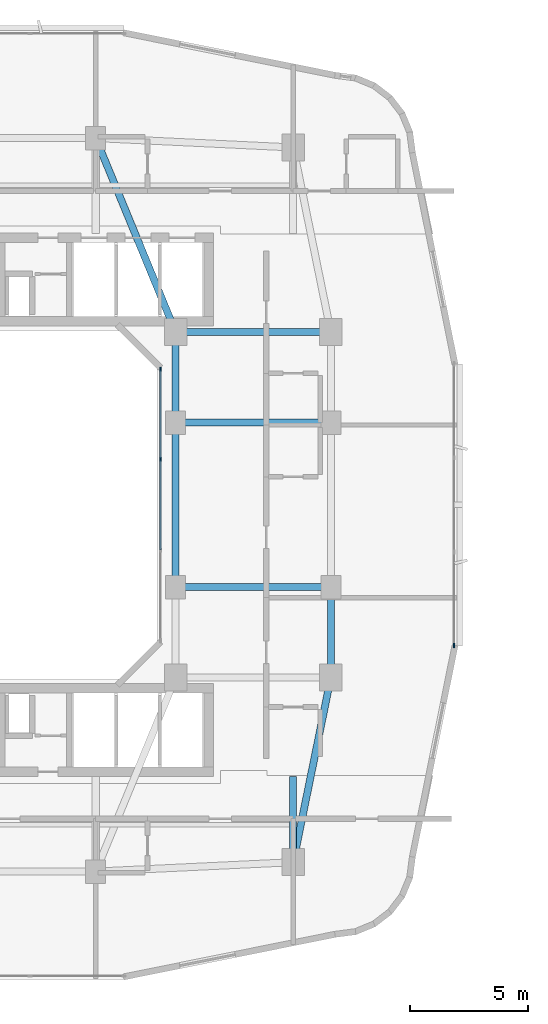
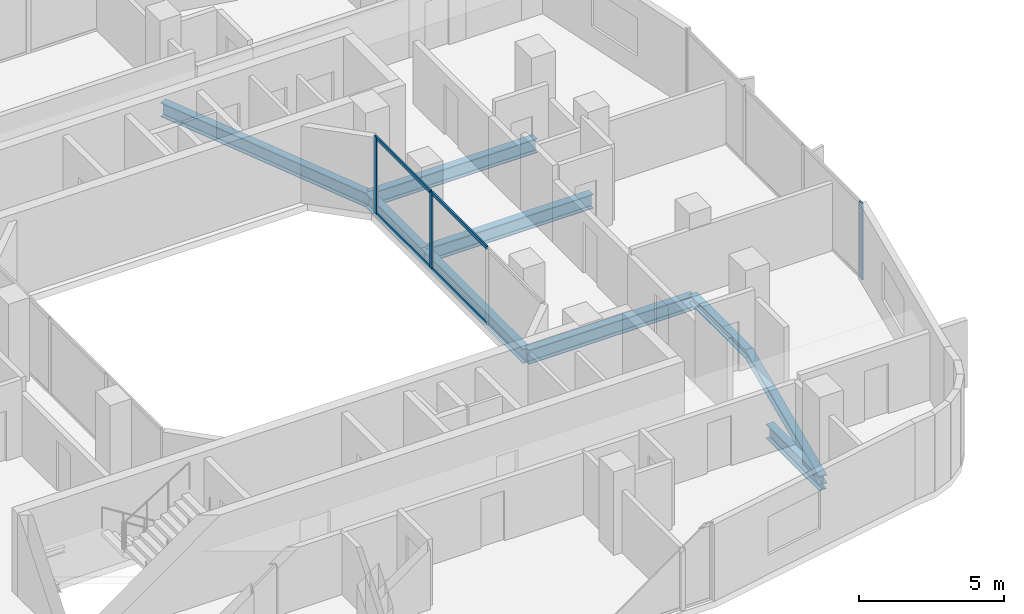
# One storey, part 4 of 26: 9 beams, 7 members, 2 elements without a shape of their own.
"""IFC4 building model written with IfcOpenShell, lengths in metres."""

from ifc_helpers import new_model, si_unit, derived_unit, direction, frame, origin, origin_2d, place, context, subcontext, project, spatial, rectangle, i_section, extrude, material, layer, layer_set, material_profile, profile_set, type_object, element, aggregate, save


model = new_model("IFC4")

# Units and contexts
model_context = context("Model", 3, precision=1e-05, world=origin(), true_north=direction((0.0, 1.0)))
body_context = subcontext(model_context, "Body", "Model", "MODEL_VIEW")
ifc_project = project(units=[si_unit("LENGTHUNIT", "METRE"), si_unit("AREAUNIT", "SQUARE_METRE"), si_unit("VOLUMEUNIT", "CUBIC_METRE"), si_unit("PLANEANGLEUNIT", "RADIAN"), si_unit("MASSUNIT", "GRAM", prefix="KILO"), derived_unit("THERMALTRANSMITTANCEUNIT", [(si_unit("POWERUNIT", "WATT"), 1), (si_unit("LENGTHUNIT", "METRE"), -2), (si_unit("THERMODYNAMICTEMPERATUREUNIT", "KELVIN"), -1)])], contexts=[model_context])

# Site, building, storey
site_placement = place(None, origin())
site = spatial("IfcSite", under=ifc_project, at=site_placement, CompositionType="ELEMENT")
building_placement = place(site_placement, origin())
building = spatial("IfcBuilding", under=site, at=building_placement, Name="Kivonza Crest Hotel", CompositionType="ELEMENT")
storey_placement = place(building_placement, frame((0.0, 0.0, 105.5)))
storey = spatial("IfcBuildingStorey", under=building, at=storey_placement, Name="L28", CompositionType="ELEMENT", Elevation=105.5)

# Beams
ifc_material_1 = material(Name="Steel S355", Category="steel")
ifc_material_profile_1 = material_profile(ifc_material_1, i_section(OverallWidth=0.300048828125, OverallDepth=0.360107421875, WebThickness=0.012451171875, FlangeThickness=0.0224609375, FilletRadius=0.027099609375, at=origin_2d()), Name="HEB 360")
ifc_profile_set_1 = profile_set([ifc_material_profile_1], Name="Steel S355")
beam_type_1 = type_object("IfcBeamType", Name="BM-HEB360", PredefinedType="SPANDREL", material=ifc_profile_set_1)
beam_1_placement = place(storey_placement, frame((34.199951171875, 9.800048828125, -0.4599609375), z_axis=(0.199730733965, 0.979850822273, 0.0), x_axis=(-0.979850822273, 0.199730733965, 0.0)))
element("IfcBeam", 1, at=beam_1_placement, inside=storey, type_object=beam_type_1, Name="Tower T1 L28 perimeter spandrel SE-PSE", PredefinedType="SPANDREL", context=body_context, shape_type="SweptSolid", body=[
    extrude(i_section(OverallWidth=0.300048828125, OverallDepth=0.360107421875, WebThickness=0.012451171875, FlangeThickness=0.0224609375, FilletRadius=0.027099609375, at=origin_2d()), origin(), (0.0, 0.0, 1.0), 8.01123046875),
])
beam_2_placement = place(storey_placement, frame((35.800048828125, 17.64990234375, -0.4599609375), z_axis=(0.0, 1.0, 0.0), x_axis=(-1.0, 0.0, 0.0)))
element("IfcBeam", 2, at=beam_2_placement, inside=storey, type_object=beam_type_1, Name="Tower T1 L28 perimeter spandrel PSE-E1", PredefinedType="SPANDREL", context=body_context, shape_type="SweptSolid", body=[
    extrude(i_section(OverallWidth=0.300048828125, OverallDepth=0.360107421875, WebThickness=0.012451171875, FlangeThickness=0.0224609375, FilletRadius=0.027099609375, at=origin_2d()), origin(), (0.0, 0.0, 1.0), 3.85009765625),
])
ifc_material_profile_2 = material_profile(ifc_material_1, i_section(OverallWidth=0.300048828125, OverallDepth=0.60009765625, WebThickness=0.015380859375, FlangeThickness=0.030029296875, FilletRadius=0.027099609375, at=origin_2d()), Name="HEB 600")
ifc_profile_set_2 = profile_set([ifc_material_profile_2], Name="Steel S355")
beam_type_2 = type_object("IfcBeamType", Name="BM-HEB600", PredefinedType="BEAM", material=ifc_profile_set_2)
beam_3_placement = place(storey_placement, frame((25.800048828125, 40.60009765625, -0.580078125), z_axis=(0.381022260404, -0.924565864109, 0.0), x_axis=(0.924565864109, 0.381022260404, 0.0)))
element("IfcBeam", 3, at=beam_3_placement, inside=storey, type_object=beam_type_2, Name="Tower T1 L28 primary girder N1-TNE", PredefinedType="BEAM", context=body_context, shape_type="SweptSolid", body=[
    extrude(i_section(OverallWidth=0.300048828125, OverallDepth=0.60009765625, WebThickness=0.015380859375, FlangeThickness=0.030029296875, FilletRadius=0.027099609375, at=origin_2d()), origin(), (0.0, 0.0, 1.0), 8.923095703125),
])
beam_4_placement = place(storey_placement, frame((29.199951171875, 32.35009765625, -0.580078125), z_axis=(1.0, 0.0, 0.0), x_axis=(0.0, 1.0, 0.0)))
element("IfcBeam", 4, at=beam_4_placement, inside=storey, type_object=beam_type_2, Name="Tower T1 L28 primary girder TNE-PNE", PredefinedType="BEAM", context=body_context, shape_type="SweptSolid", body=[
    extrude(i_section(OverallWidth=0.300048828125, OverallDepth=0.60009765625, WebThickness=0.015380859375, FlangeThickness=0.030029296875, FilletRadius=0.027099609375, at=origin_2d()), origin(), (0.0, 0.0, 1.0), 6.60009765625),
])
beam_5_placement = place(storey_placement, frame((29.199951171875, 21.5, -0.580078125), z_axis=(0.0, 1.0, 0.0), x_axis=(-1.0, 0.0, 0.0)))
element("IfcBeam", 5, at=beam_5_placement, inside=storey, type_object=beam_type_2, Name="Tower T1 L28 primary girder WR1-WR2", PredefinedType="BEAM", context=body_context, shape_type="SweptSolid", body=[
    extrude(i_section(OverallWidth=0.300048828125, OverallDepth=0.60009765625, WebThickness=0.015380859375, FlangeThickness=0.030029296875, FilletRadius=0.027099609375, at=origin_2d()), origin(), (0.0, 0.0, 1.0), 7.0),
])
beam_6_placement = place(storey_placement, frame((29.199951171875, 28.5, -0.580078125), z_axis=(0.0, 1.0, 0.0), x_axis=(-1.0, 0.0, 0.0)))
element("IfcBeam", 6, at=beam_6_placement, inside=storey, type_object=beam_type_2, Name="Tower T1 L28 primary girder WR2-TNE", PredefinedType="BEAM", context=body_context, shape_type="SweptSolid", body=[
    extrude(i_section(OverallWidth=0.300048828125, OverallDepth=0.60009765625, WebThickness=0.015380859375, FlangeThickness=0.030029296875, FilletRadius=0.027099609375, at=origin_2d()), origin(), (0.0, 0.0, 1.0), 3.85009765625),
])
for number, where, z_axis, x_axis, name in (
    (7, (29.199951171875, 21.5, -0.580078125), (1.0, 0.0, 0.0), (0.0, 1.0, 0.0), "Tower T1 L28 primary girder WR1-E1"),
    (8, (29.199951171875, 28.5, -0.580078125), (1.0, 0.0, 0.0), (0.0, 1.0, 0.0), "Tower T1 L28 primary girder WR2-E2"),
):
    element("IfcBeam", number, at=place(storey_placement, frame(where, z_axis=z_axis, x_axis=x_axis)), inside=storey, type_object=beam_type_2, Name=name, PredefinedType="BEAM", context=body_context, shape_type="SweptSolid", body=[
        extrude(i_section(OverallWidth=0.300048828125, OverallDepth=0.60009765625, WebThickness=0.015380859375, FlangeThickness=0.030029296875, FilletRadius=0.027099609375, at=origin_2d()), origin(), (0.0, 0.0, 1.0), 6.60009765625),
    ])
beam_7_placement = place(storey_placement, frame((34.199951171875, 9.800048828125, -0.580078125), z_axis=(0.0, 1.0, 0.0), x_axis=(-1.0, 0.0, 0.0)))
element("IfcBeam", 9, at=beam_7_placement, inside=storey, type_object=beam_type_2, Name="Tower T1 L28 radial core girder RSE", PredefinedType="BEAM", context=body_context, shape_type="SweptSolid", body=[
    extrude(i_section(OverallWidth=0.300048828125, OverallDepth=0.60009765625, WebThickness=0.015380859375, FlangeThickness=0.030029296875, FilletRadius=0.027099609375, at=origin_2d()), origin(), (0.0, 0.0, 1.0), 3.64990234375),
])

# Curtain wall, member
ifc_material_2 = material(Name="Anodised bronze aluminium and low-E double glazing", Category="aluminium")
ifc_layer_1 = layer(ifc_material_2, 0.179931640625)
ifc_layer_set_1 = layer_set([ifc_layer_1], Name="Anodised bronze aluminium and low-E double glazing")
curtain_wall_type_1 = type_object("IfcCurtainWallType", Name="CW-SYS-2", PredefinedType="NOTDEFINED", material=ifc_layer_set_1)
curtain_wall_1_placement = place(storey_placement, origin())
curtain_wall_1 = element("IfcCurtainWall", 10, at=curtain_wall_1_placement, inside=storey, type_object=curtain_wall_type_1, Name="L28 unitised curtain wall CW-T1-L28-17", PredefinedType="NOTDEFINED")
ifc_material_3 = material(Name="Anodised bronze aluminium", Category="aluminium")
ifc_material_profile_3 = material_profile(ifc_material_3, rectangle(XDim=0.06494140625, YDim=0.179931640625, at=origin_2d()), Name="CW-M 65x180")
ifc_profile_set_3 = profile_set([ifc_material_profile_3], Name="Anodised bronze aluminium")
member_type_1 = type_object("IfcMemberType", Name="CW-MUL-65x180", PredefinedType="MULLION", material=ifc_profile_set_3)
member_1_placement = place(storey_placement, frame((41.0400390625, 19.012451171875, 0.0), z_axis=(0.0, 0.0, 1.0), x_axis=(-1.0, 0.0, 0.0)))
member_1 = element("IfcMember", 11, at=member_1_placement, type_object=member_type_1, Name="CW-2 mullion 1", PredefinedType="MULLION", context=body_context, shape_type="SweptSolid", body=[
    extrude(rectangle(XDim=0.06494140625, YDim=0.179931640625, at=origin_2d()), origin(), (0.0, 0.0, 1.0), 3.219970703125),
])
aggregate(curtain_wall_1, [member_1])

# Curtain wall, members
ifc_layer_2 = layer(ifc_material_2, 0.159912109375)
ifc_layer_set_2 = layer_set([ifc_layer_2], Name="Anodised bronze aluminium and low-E double glazing")
curtain_wall_type_2 = type_object("IfcCurtainWallType", Name="CW-SYS-5", PredefinedType="NOTDEFINED", material=ifc_layer_set_2)
curtain_wall_2_placement = place(storey_placement, origin())
curtain_wall_2 = element("IfcCurtainWall", 12, at=curtain_wall_2_placement, inside=storey, type_object=curtain_wall_type_2, Name="L28 unitised curtain wall CW-WELL-T1-L28-3", PredefinedType="NOTDEFINED")
member_2_placement = place(storey_placement, frame((28.56005859375, 26.933349609375, 0.0), z_axis=(0.0, 0.0, 1.0), x_axis=(-1.0, 0.0, 0.0)))
member_2 = element("IfcMember", 13, at=member_2_placement, type_object=member_type_1, Name="CW-5 mullion 3", PredefinedType="MULLION", context=body_context, shape_type="SweptSolid", body=[
    extrude(rectangle(XDim=0.06494140625, YDim=0.179931640625, at=origin_2d()), origin(), (0.0, 0.0, 1.0), 3.219970703125),
])
member_3_placement = place(storey_placement, frame((28.56005859375, 30.767578125, 0.0), z_axis=(0.0, 0.0, 1.0), x_axis=(-1.0, 0.0, 0.0)))
member_3 = element("IfcMember", 14, at=member_3_placement, type_object=member_type_1, Name="CW-5 mullion 4", PredefinedType="MULLION", context=body_context, shape_type="SweptSolid", body=[
    extrude(rectangle(XDim=0.06494140625, YDim=0.179931640625, at=origin_2d()), origin(), (0.0, 0.0, 1.0), 3.219970703125),
])
ifc_material_profile_4 = material_profile(ifc_material_3, rectangle(XDim=0.06494140625, YDim=0.139892578125, at=origin_2d()), Name="CW-T 65x140")
ifc_profile_set_4 = profile_set([ifc_material_profile_4], Name="Anodised bronze aluminium")
member_type_2 = type_object("IfcMemberType", Name="CW-TRN-65x140", PredefinedType="USERDEFINED", material=ifc_profile_set_4)
member_4_placement = place(storey_placement, frame((28.56005859375, 23.09912109375, 0.032470703125), z_axis=(0.0, 1.0, 0.0), x_axis=(-1.0, 0.0, 0.0)))
member_4 = element("IfcMember", 15, at=member_4_placement, type_object=member_type_2, Name="CW-5 transom 2.1", ObjectType="TRANSOM", PredefinedType="USERDEFINED", context=body_context, shape_type="SweptSolid", body=[
    extrude(rectangle(XDim=0.06494140625, YDim=0.139892578125, at=origin_2d()), origin(), (0.0, 0.0, 1.0), 3.8017578125),
])
member_5_placement = place(storey_placement, frame((28.56005859375, 23.09912109375, 3.1875), z_axis=(0.0, 1.0, 0.0), x_axis=(-1.0, 0.0, 0.0)))
member_5 = element("IfcMember", 16, at=member_5_placement, type_object=member_type_2, Name="CW-5 transom 2.2", ObjectType="TRANSOM", PredefinedType="USERDEFINED", context=body_context, shape_type="SweptSolid", body=[
    extrude(rectangle(XDim=0.06494140625, YDim=0.139892578125, at=origin_2d()), origin(), (0.0, 0.0, 1.0), 3.8017578125),
])
member_6_placement = place(storey_placement, frame((28.56005859375, 26.9658203125, 0.032470703125), z_axis=(0.0, 1.0, 0.0), x_axis=(-1.0, 0.0, 0.0)))
member_6 = element("IfcMember", 17, at=member_6_placement, type_object=member_type_2, Name="CW-5 transom 3.1", ObjectType="TRANSOM", PredefinedType="USERDEFINED", context=body_context, shape_type="SweptSolid", body=[
    extrude(rectangle(XDim=0.06494140625, YDim=0.139892578125, at=origin_2d()), origin(), (0.0, 0.0, 1.0), 3.769287109375),
])
member_7_placement = place(storey_placement, frame((28.56005859375, 26.9658203125, 3.1875), z_axis=(0.0, 1.0, 0.0), x_axis=(-1.0, 0.0, 0.0)))
member_7 = element("IfcMember", 18, at=member_7_placement, type_object=member_type_2, Name="CW-5 transom 3.2", ObjectType="TRANSOM", PredefinedType="USERDEFINED", context=body_context, shape_type="SweptSolid", body=[
    extrude(rectangle(XDim=0.06494140625, YDim=0.139892578125, at=origin_2d()), origin(), (0.0, 0.0, 1.0), 3.769287109375),
])
aggregate(curtain_wall_2, [member_2, member_3, member_4, member_5, member_6, member_7])

save(model, "model.ifc")
